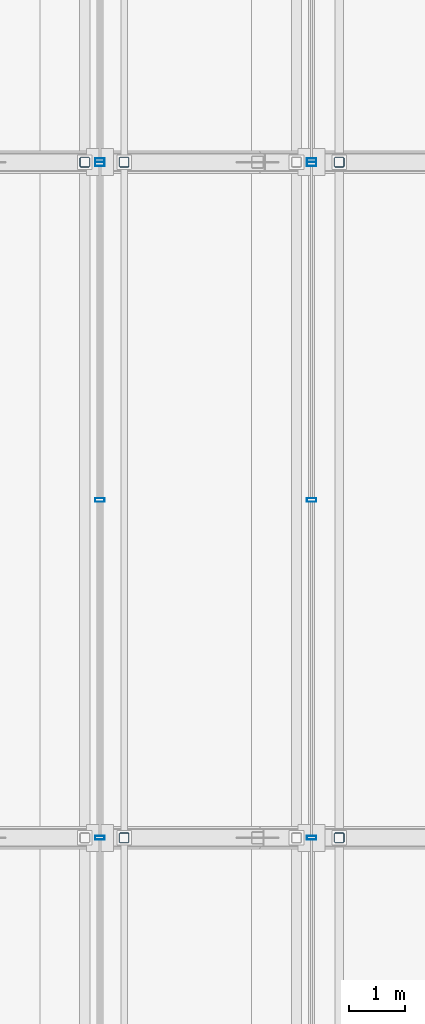
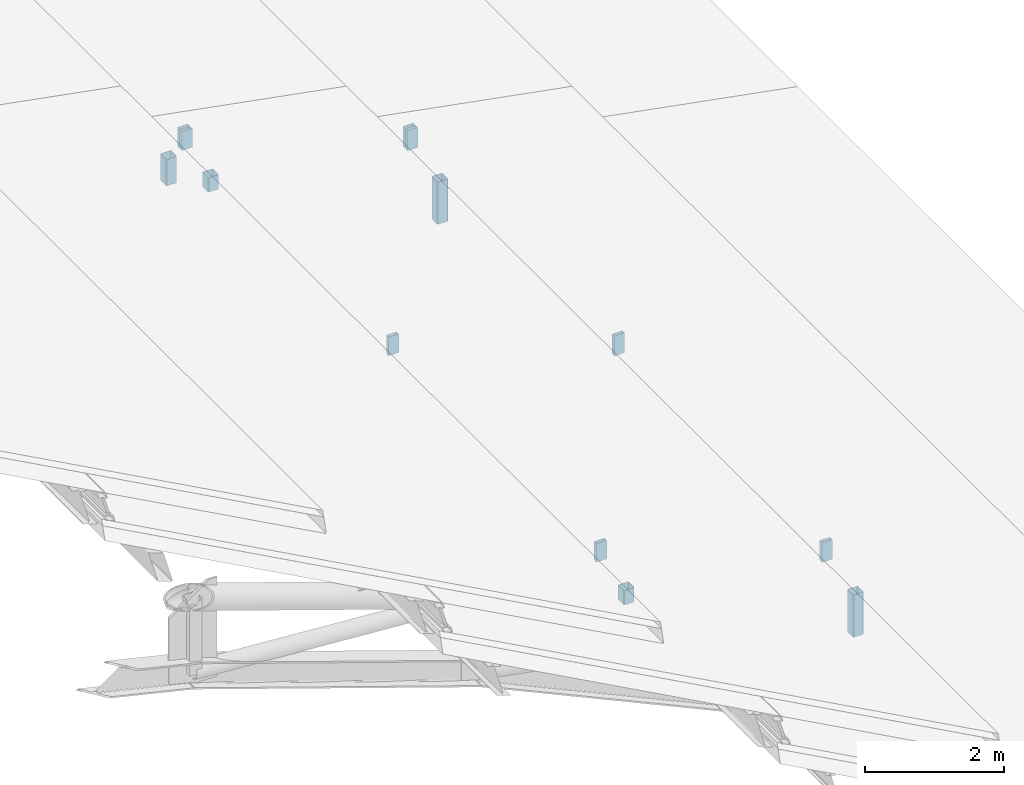
# One storey, part 64 of 117: 13 members, 4 elements without a shape of their own.
"""IFC4 building model written with IfcOpenShell, lengths in metres."""

from ifc_helpers import new_model, si_unit, direction, frame, origin, origin_2d, place, context, subcontext, project, spatial, hollow_rectangle, extrude, material, material_profile, profile_set, type_object, element, aggregate, save


model = new_model("IFC4")

# Units and contexts
model_context = context("Model", 3, precision=1e-05, world=origin(), true_north=direction((0.0, 1.0)))
body_context = subcontext(model_context, "Body", "Model", "MODEL_VIEW")
ifc_project = project(units=[si_unit("LENGTHUNIT", "METRE"), si_unit("AREAUNIT", "SQUARE_METRE"), si_unit("VOLUMEUNIT", "CUBIC_METRE"), si_unit("PLANEANGLEUNIT", "RADIAN"), si_unit("MASSUNIT", "GRAM", prefix="KILO")], contexts=[model_context])

# Site, building, storey
site_placement = place(None, origin())
site = spatial("IfcSite", under=ifc_project, at=site_placement, CompositionType="ELEMENT")
building_placement = place(site_placement, origin())
building = spatial("IfcBuilding", under=site, at=building_placement, Name="Merenkruunu Market Hall", CompositionType="ELEMENT")
storey_placement = place(building_placement, frame((0.0, 0.0, 22.800048828125)))
storey = spatial("IfcBuildingStorey", under=building, at=storey_placement, Name="RF", CompositionType="ELEMENT", Elevation=22.800048828125)

# Curtain wall, members
ifc_material_1 = material(Name="Powder-coated aluminium", Category="aluminium")
curtain_wall_type = type_object("IfcCurtainWallType", Name="Clerestory Curtain Band CL05", PredefinedType="USERDEFINED", material=ifc_material_1)
curtain_wall_1_placement = place(storey_placement, origin())
curtain_wall_1 = element("IfcCurtainWall", 1, at=curtain_wall_1_placement, inside=storey, type_object=curtain_wall_type, Name="CW-RF-CWM04-084", ObjectType="CLERESTORY_BAND", PredefinedType="USERDEFINED")
ifc_material_profile_1 = material_profile(ifc_material_1, hollow_rectangle(XDim=0.070068359375, YDim=0.169921875, WallThickness=0.0048828125, at=origin_2d()), Name="ALU 70x170x5")
ifc_profile_set_1 = profile_set([ifc_material_profile_1], Name="Powder-coated aluminium")
member_type_1 = type_object("IfcMemberType", Name="Curtain Wall Mullion CWM04", PredefinedType="MULLION", material=ifc_profile_set_1)
member_1_placement = place(storey_placement, frame((53.760009765625, 63.56494140625, -6.52197265625), z_axis=(0.0, 0.0, 1.0), x_axis=(0.0, -1.0, 0.0)))
member_1 = element("IfcMember", 2, at=member_1_placement, type_object=member_type_1, Name="CL05 mullion 1", PredefinedType="MULLION", context=body_context, shape_type="SweptSolid", body=[
    extrude(hollow_rectangle(XDim=0.070068359375, YDim=0.169921875, WallThickness=0.0048828125, at=origin_2d()), origin(), (0.0, 0.0, 1.0), 0.347900390625),
])
member_2_placement = place(storey_placement, frame((53.760009765625, 57.60009765625, -6.52197265625), z_axis=(0.0, 0.0, 1.0), x_axis=(0.0, -1.0, 0.0)))
member_2 = element("IfcMember", 3, at=member_2_placement, type_object=member_type_1, Name="CL05 mullion 2", PredefinedType="MULLION", context=body_context, shape_type="SweptSolid", body=[
    extrude(hollow_rectangle(XDim=0.070068359375, YDim=0.169921875, WallThickness=0.0048828125, at=origin_2d()), origin(), (0.0, 0.0, 1.0), 0.347900390625),
])
member_3_placement = place(storey_placement, frame((53.760009765625, 51.60009765625, -6.52197265625), z_axis=(0.0, 0.0, 1.0), x_axis=(0.0, -1.0, 0.0)))
member_3 = element("IfcMember", 4, at=member_3_placement, type_object=member_type_1, Name="CL05 mullion 3", PredefinedType="MULLION", context=body_context, shape_type="SweptSolid", body=[
    extrude(hollow_rectangle(XDim=0.070068359375, YDim=0.169921875, WallThickness=0.0048828125, at=origin_2d()), origin(), (0.0, 0.0, 1.0), 0.347900390625),
])
aggregate(curtain_wall_1, [member_1, member_2, member_3])

# Curtain wall, member
curtain_wall_2_placement = place(storey_placement, origin())
curtain_wall_2 = element("IfcCurtainWall", 5, at=curtain_wall_2_placement, inside=storey, type_object=curtain_wall_type, Name="CW-RF-CWM04-086", ObjectType="CLERESTORY_BAND", PredefinedType="USERDEFINED")
member_4_placement = place(storey_placement, frame((53.760009765625, 63.635009765625, -6.52197265625), z_axis=(0.0, 0.0, 1.0), x_axis=(0.0, -1.0, 0.0)))
member_4 = element("IfcMember", 6, at=member_4_placement, type_object=member_type_1, Name="CL05 mullion 5", PredefinedType="MULLION", context=body_context, shape_type="SweptSolid", body=[
    extrude(hollow_rectangle(XDim=0.070068359375, YDim=0.169921875, WallThickness=0.0048828125, at=origin_2d()), origin(), (0.0, 0.0, 1.0), 0.347900390625),
])
aggregate(curtain_wall_2, [member_4])

# Curtain wall, members
curtain_wall_3_placement = place(storey_placement, origin())
curtain_wall_3 = element("IfcCurtainWall", 7, at=curtain_wall_3_placement, inside=storey, type_object=curtain_wall_type, Name="CW-RF-CWM04-092", ObjectType="CLERESTORY_BAND", PredefinedType="USERDEFINED")
member_5_placement = place(storey_placement, frame((50.0, 63.56494140625, -5.2021484375), z_axis=(0.0, 0.0, 1.0), x_axis=(0.0, -1.0, 0.0)))
member_5 = element("IfcMember", 8, at=member_5_placement, type_object=member_type_1, Name="CL05 mullion 1", PredefinedType="MULLION", context=body_context, shape_type="SweptSolid", body=[
    extrude(hollow_rectangle(XDim=0.070068359375, YDim=0.169921875, WallThickness=0.0048828125, at=origin_2d()), origin(), (0.0, 0.0, 1.0), 0.3271484375),
])
member_6_placement = place(storey_placement, frame((50.0, 57.60009765625, -5.2021484375), z_axis=(0.0, 0.0, 1.0), x_axis=(0.0, -1.0, 0.0)))
member_6 = element("IfcMember", 9, at=member_6_placement, type_object=member_type_1, Name="CL05 mullion 2", PredefinedType="MULLION", context=body_context, shape_type="SweptSolid", body=[
    extrude(hollow_rectangle(XDim=0.070068359375, YDim=0.169921875, WallThickness=0.0048828125, at=origin_2d()), origin(), (0.0, 0.0, 1.0), 0.3271484375),
])
member_7_placement = place(storey_placement, frame((50.0, 51.60009765625, -5.2021484375), z_axis=(0.0, 0.0, 1.0), x_axis=(0.0, -1.0, 0.0)))
member_7 = element("IfcMember", 10, at=member_7_placement, type_object=member_type_1, Name="CL05 mullion 3", PredefinedType="MULLION", context=body_context, shape_type="SweptSolid", body=[
    extrude(hollow_rectangle(XDim=0.070068359375, YDim=0.169921875, WallThickness=0.0048828125, at=origin_2d()), origin(), (0.0, 0.0, 1.0), 0.3271484375),
])
aggregate(curtain_wall_3, [member_5, member_6, member_7])

# Curtain wall, member
curtain_wall_4_placement = place(storey_placement, origin())
curtain_wall_4 = element("IfcCurtainWall", 11, at=curtain_wall_4_placement, inside=storey, type_object=curtain_wall_type, Name="CW-RF-CWM04-094", ObjectType="CLERESTORY_BAND", PredefinedType="USERDEFINED")
member_8_placement = place(storey_placement, frame((50.0, 63.635009765625, -5.2021484375), z_axis=(0.0, 0.0, 1.0), x_axis=(0.0, -1.0, 0.0)))
member_8 = element("IfcMember", 12, at=member_8_placement, type_object=member_type_1, Name="CL05 mullion 5", PredefinedType="MULLION", context=body_context, shape_type="SweptSolid", body=[
    extrude(hollow_rectangle(XDim=0.070068359375, YDim=0.169921875, WallThickness=0.0048828125, at=origin_2d()), origin(), (0.0, 0.0, 1.0), 0.3271484375),
])
aggregate(curtain_wall_4, [member_8])

# Members
ifc_material_2 = material(Name="Steel S355J2", Category="steel")
ifc_material_profile_2 = material_profile(ifc_material_2, hollow_rectangle(XDim=0.179931640625, YDim=0.179931640625, WallThickness=0.010009765625, InnerFilletRadius=0.010009765625, OuterFilletRadius=0.02001953125, at=origin_2d()), Name="SHS 180x180x10")
ifc_profile_set_2 = profile_set([ifc_material_profile_2], Name="Steel S355J2")
member_type_2 = type_object("IfcMemberType", Name="Diagonal Sway Brace BR05", PredefinedType="BRACE", material=ifc_profile_set_2)
member_9_placement = place(storey_placement, frame((54.25, 51.60009765625, -7.98095703125), z_axis=(0.0, 0.0, 1.0), x_axis=(1.0, 0.0, 0.0)))
element("IfcMember", 13, at=member_9_placement, inside=storey, type_object=member_type_2, Name="TRUSS-AT-4-RISER-E1-2", PredefinedType="BRACE", context=body_context, shape_type="SweptSolid", body=[
    extrude(hollow_rectangle(XDim=0.179931640625, YDim=0.179931640625, WallThickness=0.010009765625, InnerFilletRadius=0.010009765625, OuterFilletRadius=0.02001953125, at=origin_2d()), origin(), (0.0, 0.0, 1.0), 0.741455078125),
])
member_10_placement = place(storey_placement, frame((50.429931640625, 51.60009765625, -6.075439453125), z_axis=(0.0, 0.0, 1.0), x_axis=(1.0, 0.0, 0.0)))
element("IfcMember", 14, at=member_10_placement, inside=storey, type_object=member_type_2, Name="TRUSS-AT-4-RISER-E2-2", PredefinedType="BRACE", context=body_context, shape_type="SweptSolid", body=[
    extrude(hollow_rectangle(XDim=0.179931640625, YDim=0.179931640625, WallThickness=0.010009765625, InnerFilletRadius=0.010009765625, OuterFilletRadius=0.02001953125, at=origin_2d()), origin(), (0.0, 0.0, 1.0), 0.25),
])
member_11_placement = place(storey_placement, frame((54.25, 63.60009765625, -7.98095703125), z_axis=(0.0, 0.0, 1.0), x_axis=(1.0, 0.0, 0.0)))
element("IfcMember", 15, at=member_11_placement, inside=storey, type_object=member_type_2, Name="TRUSS-AT-5-RISER-E1-2", PredefinedType="BRACE", context=body_context, shape_type="SweptSolid", body=[
    extrude(hollow_rectangle(XDim=0.179931640625, YDim=0.179931640625, WallThickness=0.010009765625, InnerFilletRadius=0.010009765625, OuterFilletRadius=0.02001953125, at=origin_2d()), origin(), (0.0, 0.0, 1.0), 0.741455078125),
])
member_12_placement = place(storey_placement, frame((50.429931640625, 63.60009765625, -6.075439453125), z_axis=(0.0, 0.0, 1.0), x_axis=(1.0, 0.0, 0.0)))
element("IfcMember", 16, at=member_12_placement, inside=storey, type_object=member_type_2, Name="TRUSS-AT-5-RISER-E2-2", PredefinedType="BRACE", context=body_context, shape_type="SweptSolid", body=[
    extrude(hollow_rectangle(XDim=0.179931640625, YDim=0.179931640625, WallThickness=0.010009765625, InnerFilletRadius=0.010009765625, OuterFilletRadius=0.02001953125, at=origin_2d()), origin(), (0.0, 0.0, 1.0), 0.25),
])
member_13_placement = place(storey_placement, frame((49.72998046875, 63.60009765625, -5.720947265625), z_axis=(0.0, 0.0, 1.0), x_axis=(1.0, 0.0, 0.0)))
element("IfcMember", 17, at=member_13_placement, inside=storey, type_object=member_type_2, Name="TRUSS-AT-5-RISER-E3-1", PredefinedType="BRACE", context=body_context, shape_type="SweptSolid", body=[
    extrude(hollow_rectangle(XDim=0.179931640625, YDim=0.179931640625, WallThickness=0.010009765625, InnerFilletRadius=0.010009765625, OuterFilletRadius=0.02001953125, at=origin_2d()), origin(), (0.0, 0.0, 1.0), 0.462646484375),
])

save(model, "model.ifc")
